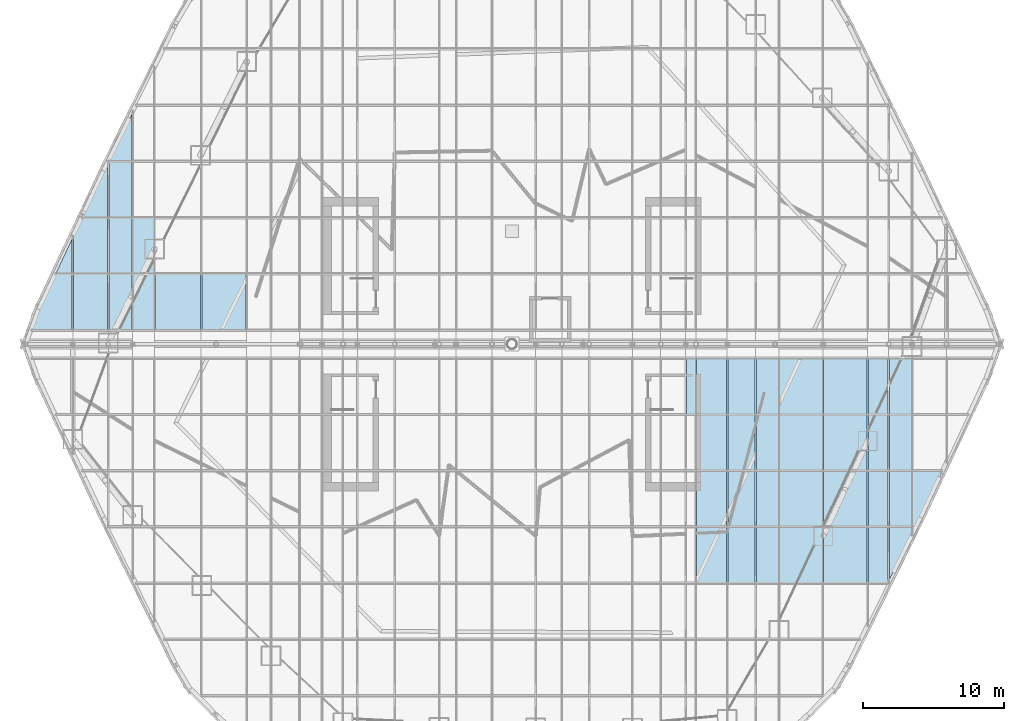
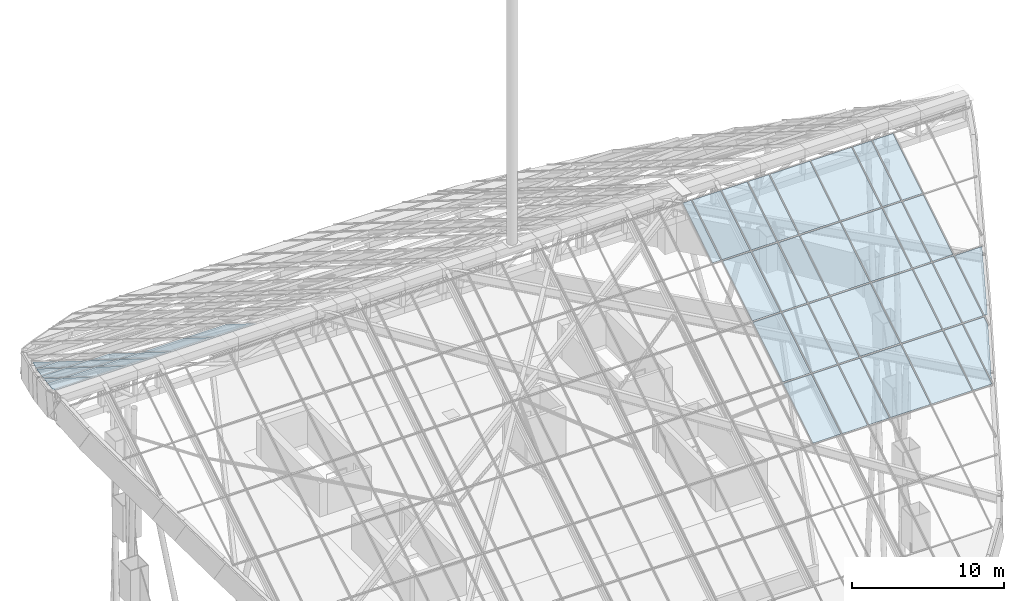
# One storey, part 30 of 38: 43 plates, 43 elements without a shape of their own.
"""IFC4 building model written with IfcOpenShell, lengths in metres."""

from ifc_helpers import new_model, si_unit, direction, frame, origin, place, context, subcontext, project, spatial, polyline, outline, extrude, material, layer, layer_set, type_object, element, aggregate, save


model = new_model("IFC4")

# Units and contexts
model_context = context("Model", 3, precision=1e-05, world=origin(), true_north=direction((0.0, 1.0)))
body_context = subcontext(model_context, "Body", "Model", "MODEL_VIEW")
ifc_project = project(units=[si_unit("LENGTHUNIT", "METRE"), si_unit("AREAUNIT", "SQUARE_METRE"), si_unit("VOLUMEUNIT", "CUBIC_METRE"), si_unit("PLANEANGLEUNIT", "RADIAN"), si_unit("MASSUNIT", "GRAM", prefix="KILO")], contexts=[model_context])

# Site, building, storey
site_placement = place(None, origin())
site = spatial("IfcSite", under=ifc_project, at=site_placement, CompositionType="ELEMENT")
building_placement = place(site_placement, origin())
building = spatial("IfcBuilding", under=site, at=building_placement, Name="Dongbaek Canopy Tower", CompositionType="ELEMENT")
storey_placement = place(building_placement, frame((0.0, 0.0, 375.800048828125)))
storey = spatial("IfcBuildingStorey", under=building, at=storey_placement, Name="Roof", CompositionType="ELEMENT", Elevation=375.800048828125)

# Curtain wall, plate
ifc_material_1 = material(Name="Aluminium 6063-T6 pale anodised", Category="aluminium")
ifc_layer_1 = layer(ifc_material_1, 0.199951171875)
ifc_layer_set_1 = layer_set([ifc_layer_1], Name="CW-6 canopy glazing curtain wall")
curtain_wall_type = type_object("IfcCurtainWallType", Name="CW-6 canopy glazing curtain wall", PredefinedType="NOTDEFINED", material=ifc_layer_set_1)
curtain_wall_1_placement = place(storey_placement, origin())
curtain_wall_1 = element("IfcCurtainWall", 1, at=curtain_wall_1_placement, inside=storey, type_object=curtain_wall_type, Name="CW-6 canopy glazing north 1.1", PredefinedType="NOTDEFINED")
ifc_material_2 = material(Name="Clear laminated glass", Category="glass")
ifc_layer_2 = layer(ifc_material_2, 0.0400390625)
ifc_layer_set_2 = layer_set([ifc_layer_2], Name="CW-6 glazed panel 40")
plate_type = type_object("IfcPlateType", Name="CW-6 glazed panel 40", PredefinedType="CURTAIN_PANEL", material=ifc_layer_set_2)
plate_1_placement = place(storey_placement, frame((-31.172119140625, 1.04296875, 18.095458984375), z_axis=(2.9550135e-05, 0.529899096889, 0.848060697263), x_axis=(-0.999999999563, 1.565859e-05, 2.5060308e-05)))
plate_1 = element("IfcPlate", 2, at=plate_1_placement, type_object=plate_type, Name="CW-6 panel N1.1", PredefinedType="CURTAIN_PANEL", context=body_context, shape_type="SweptSolid", body=[
    extrude(outline(polyline([(0.0, 0.0), (2.87426757687008, 0.0), (2.415771486469234, -1.5127484623807252), (1.1904296855099072, -4.598931257850206), (-1.4703448441021104e-09, -4.598931257850206), (0.0, 0.0)])), origin(), (0.0, 0.0, -1.0), 0.0400390625),
])
aggregate(curtain_wall_1, [plate_1])

curtain_wall_2_placement = place(storey_placement, origin())
curtain_wall_2 = element("IfcCurtainWall", 3, at=curtain_wall_2_placement, inside=storey, type_object=curtain_wall_type, Name="CW-6 canopy glazing north 1.2", PredefinedType="NOTDEFINED")
plate_2_placement = place(storey_placement, frame((-31.172119140625, 5.029296875, 15.6044921875), z_axis=(0.0, 0.529877740036, 0.848074041941), x_axis=(-1.0, 0.0, 0.0)))
plate_2 = element("IfcPlate", 4, at=plate_2_placement, type_object=plate_type, Name="CW-6 panel N1.2", PredefinedType="CURTAIN_PANEL", context=body_context, shape_type="SweptSolid", body=[
    extrude(outline(polyline([(0.0, 0.0), (1.150146484375, 0.0), (0.0, -2.8971895477152723), (0.0, 0.0)])), origin(), (0.0, 0.0, -1.0), 0.0400390625),
])
aggregate(curtain_wall_2, [plate_2])

curtain_wall_3_placement = place(storey_placement, origin())
curtain_wall_3 = element("IfcCurtainWall", 5, at=curtain_wall_3_placement, inside=storey, type_object=curtain_wall_type, Name="CW-6 canopy glazing north 2.1", PredefinedType="NOTDEFINED")
plate_3_placement = place(storey_placement, frame((-28.659912109375, 1.04296875, 18.095458984375), z_axis=(0.0, 0.52990827259, 0.848054964398), x_axis=(-1.0, 0.0, 0.0)))
plate_3 = element("IfcPlate", 6, at=plate_3_placement, type_object=plate_type, Name="CW-6 panel N2.1", PredefinedType="CURTAIN_PANEL", context=body_context, shape_type="SweptSolid", body=[
    extrude(outline(polyline([(0.0, 0.0), (2.426025390625, 0.0), (2.426025390625, -4.59893125811938), (0.0, -4.59893125811938), (0.0, 0.0)])), origin(), (0.0, 0.0, -1.0), 0.0400390625),
])
aggregate(curtain_wall_3, [plate_3])

curtain_wall_4_placement = place(storey_placement, origin())
curtain_wall_4 = element("IfcCurtainWall", 7, at=curtain_wall_4_placement, inside=storey, type_object=curtain_wall_type, Name="CW-6 canopy glazing north 2.2", PredefinedType="NOTDEFINED")
plate_4_placement = place(storey_placement, frame((-28.659912109375, 5.029296875, 15.6044921875), z_axis=(1.7409958e-05, 0.529906379633, 0.848056147033), x_axis=(-0.999999999848, 9.225648e-06, 1.4764622e-05)))
plate_4 = element("IfcPlate", 8, at=plate_4_placement, type_object=plate_type, Name="CW-6 panel N2.2", PredefinedType="CURTAIN_PANEL", context=body_context, shape_type="SweptSolid", body=[
    extrude(outline(polyline([(0.0, 0.0), (2.426025390257328, 0.0), (2.4260253915493055, -3.1136920414565337), (1.836425780792972, -4.598931258107925), (-1.787115585792404e-10, -4.598931258107925), (0.0, 0.0)])), origin(), (0.0, 0.0, -1.0), 0.0400390625),
])
aggregate(curtain_wall_4, [plate_4])

curtain_wall_5_placement = place(storey_placement, origin())
curtain_wall_5 = element("IfcCurtainWall", 9, at=curtain_wall_5_placement, inside=storey, type_object=curtain_wall_type, Name="CW-6 canopy glazing north 2.3", PredefinedType="NOTDEFINED")
plate_5_placement = place(storey_placement, frame((-28.996337890625, 12.132080078125, 11.166259765625), z_axis=(2.2228116e-05, 0.529913067992, 0.848051967675), x_axis=(0.384920872047, 0.782704671294, -0.489090298204)))
plate_5 = element("IfcPlate", 10, at=plate_5_placement, type_object=plate_type, Name="CW-6 panel N2.3", PredefinedType="CURTAIN_PANEL", context=body_context, shape_type="SweptSolid", body=[
    extrude(outline(polyline([(0.0, 0.0), (0.8740128327152078, 0.0), (-3.262465864460624, -1.7251397324797837), (-3.9538386319532024, -0.06739069968586259), (-3.62121665790433, -0.06172364421153187), (0.0, 0.0)])), origin(), (0.0, 0.0, -1.0), 0.0400390625),
])
aggregate(curtain_wall_5, [plate_5])

curtain_wall_6_placement = place(storey_placement, origin())
curtain_wall_6 = element("IfcCurtainWall", 11, at=curtain_wall_6_placement, inside=storey, type_object=curtain_wall_type, Name="CW-6 canopy glazing north 3.1", PredefinedType="NOTDEFINED")
plate_6_placement = place(storey_placement, frame((-26.931884765625, 1.04296875, 18.095458984375), z_axis=(0.0, 0.52990827259, 0.848054964398), x_axis=(-1.0, 0.0, 0.0)))
plate_6 = element("IfcPlate", 12, at=plate_6_placement, type_object=plate_type, Name="CW-6 panel N3.1", PredefinedType="CURTAIN_PANEL", context=body_context, shape_type="SweptSolid", body=[
    extrude(outline(polyline([(0.0, 0.0), (1.64208984375, 0.0), (1.64208984375, -4.59893125811938), (0.0, -4.59893125811938), (0.0, 0.0)])), origin(), (0.0, 0.0, -1.0), 0.0400390625),
])
aggregate(curtain_wall_6, [plate_6])

curtain_wall_7_placement = place(storey_placement, origin())
curtain_wall_7 = element("IfcCurtainWall", 13, at=curtain_wall_7_placement, inside=storey, type_object=curtain_wall_type, Name="CW-6 canopy glazing north 3.2", PredefinedType="NOTDEFINED")
plate_7_placement = place(storey_placement, frame((-26.931884765625, 5.029296875, 15.6044921875), z_axis=(0.0, 0.52990827259, 0.848054964398), x_axis=(-1.0, 0.0, 0.0)))
plate_7 = element("IfcPlate", 14, at=plate_7_placement, type_object=plate_type, Name="CW-6 panel N3.2", PredefinedType="CURTAIN_PANEL", context=body_context, shape_type="SweptSolid", body=[
    extrude(outline(polyline([(0.0, 0.0), (1.64208984375, 0.0), (1.64208984375, -4.59893125811938), (0.0, -4.59893125811938), (0.0, 0.0)])), origin(), (0.0, 0.0, -1.0), 0.0400390625),
])
aggregate(curtain_wall_7, [plate_7])

curtain_wall_8_placement = place(storey_placement, origin())
curtain_wall_8 = element("IfcCurtainWall", 15, at=curtain_wall_8_placement, inside=storey, type_object=curtain_wall_type, Name="CW-6 canopy glazing north 3.3", PredefinedType="NOTDEFINED")
plate_8_placement = place(storey_placement, frame((-26.931884765625, 9.015380859375, 13.11376953125), z_axis=(0.0, 0.529946450558, 0.848031107649), x_axis=(-1.0, 0.0, 0.0)))
plate_8 = element("IfcPlate", 16, at=plate_8_placement, type_object=plate_type, Name="CW-6 panel N3.3", PredefinedType="CURTAIN_PANEL", context=body_context, shape_type="SweptSolid", body=[
    extrude(outline(polyline([(0.0, 0.0), (1.64208984375, 0.0), (1.64208984375, -4.599060634916705), (0.0, -4.599060634916705), (0.0, 0.0)])), origin(), (0.0, 0.0, -1.0), 0.0400390625),
])
aggregate(curtain_wall_8, [plate_8])

curtain_wall_9_placement = place(storey_placement, origin())
curtain_wall_9 = element("IfcCurtainWall", 17, at=curtain_wall_9_placement, inside=storey, type_object=curtain_wall_type, Name="CW-6 canopy glazing north 3.4", PredefinedType="NOTDEFINED")
plate_9_placement = place(storey_placement, frame((-28.56884765625, 13.001708984375, 10.622802734375), z_axis=(0.0, 0.529931816238, 0.848040252664), x_axis=(0.385064065033, 0.782647737251, -0.489068691696)))
plate_9 = element("IfcPlate", 18, at=plate_9_placement, type_object=plate_type, Name="CW-6 panel N3.4", PredefinedType="CURTAIN_PANEL", context=body_context, shape_type="SweptSolid", body=[
    extrude(outline(polyline([(0.0, 0.0), (4.251144262152485, 1.6653345369377348e-16), (0.6303355849717903, -1.510736428236781), (0.0, 0.0)])), origin(), (0.0, 0.0, -1.0), 0.0400390625),
])
aggregate(curtain_wall_9, [plate_9])

curtain_wall_10_placement = place(storey_placement, origin())
curtain_wall_10 = element("IfcCurtainWall", 19, at=curtain_wall_10_placement, inside=storey, type_object=curtain_wall_type, Name="CW-6 canopy glazing north 4.1", PredefinedType="NOTDEFINED")
plate_10_placement = place(storey_placement, frame((-25.389892578125, 1.04296875, 18.095458984375), z_axis=(0.0, 0.52990827259, 0.848054964398), x_axis=(-1.0, 0.0, 0.0)))
plate_10 = element("IfcPlate", 20, at=plate_10_placement, type_object=plate_type, Name="CW-6 panel N4.1", PredefinedType="CURTAIN_PANEL", context=body_context, shape_type="SweptSolid", body=[
    extrude(outline(polyline([(0.0, 0.0), (1.4560546875, 0.0), (1.4560546875, -4.59893125811938), (0.0, -4.59893125811938), (0.0, 0.0)])), origin(), (0.0, 0.0, -1.0), 0.0400390625),
])
aggregate(curtain_wall_10, [plate_10])

curtain_wall_11_placement = place(storey_placement, origin())
curtain_wall_11 = element("IfcCurtainWall", 21, at=curtain_wall_11_placement, inside=storey, type_object=curtain_wall_type, Name="CW-6 canopy glazing north 4.2", PredefinedType="NOTDEFINED")
plate_11_placement = place(storey_placement, frame((-25.389892578125, 5.029296875, 15.6044921875), z_axis=(0.0, 0.52990827259, 0.848054964398), x_axis=(-1.0, 0.0, 0.0)))
plate_11 = element("IfcPlate", 22, at=plate_11_placement, type_object=plate_type, Name="CW-6 panel N4.2", PredefinedType="CURTAIN_PANEL", context=body_context, shape_type="SweptSolid", body=[
    extrude(outline(polyline([(0.0, 0.0), (1.4560546875, 0.0), (1.4560546875, -4.59893125811938), (0.0, -4.59893125811938), (0.0, 0.0)])), origin(), (0.0, 0.0, -1.0), 0.0400390625),
])
aggregate(curtain_wall_11, [plate_11])

curtain_wall_12_placement = place(storey_placement, origin())
curtain_wall_12 = element("IfcCurtainWall", 23, at=curtain_wall_12_placement, inside=storey, type_object=curtain_wall_type, Name="CW-6 canopy glazing north 5.1", PredefinedType="NOTDEFINED")
plate_12_placement = place(storey_placement, frame((-22.073974609375, 1.04296875, 18.095458984375), z_axis=(0.0, 0.52990827259, 0.848054964398), x_axis=(-1.0, 0.0, 0.0)))
plate_12 = element("IfcPlate", 24, at=plate_12_placement, type_object=plate_type, Name="CW-6 panel N5.1", PredefinedType="CURTAIN_PANEL", context=body_context, shape_type="SweptSolid", body=[
    extrude(outline(polyline([(0.0, 0.0), (3.22998046875, 0.0), (3.22998046875, -4.59893125811938), (0.0, -4.59893125811938), (0.0, 0.0)])), origin(), (0.0, 0.0, -1.0), 0.0400390625),
])
aggregate(curtain_wall_12, [plate_12])

curtain_wall_13_placement = place(storey_placement, origin())
curtain_wall_13 = element("IfcCurtainWall", 25, at=curtain_wall_13_placement, inside=storey, type_object=curtain_wall_type, Name="CW-6 canopy glazing north 6.1", PredefinedType="NOTDEFINED")
plate_13_placement = place(storey_placement, frame((-18.84912109375, 1.04296875, 18.095458984375), z_axis=(0.0, 0.52990827259, 0.848054964398), x_axis=(-1.0, 0.0, 0.0)))
plate_13 = element("IfcPlate", 26, at=plate_13_placement, type_object=plate_type, Name="CW-6 panel N6.1", PredefinedType="CURTAIN_PANEL", context=body_context, shape_type="SweptSolid", body=[
    extrude(outline(polyline([(0.0, 0.0), (3.138916015625, 0.0), (3.138916015625, -4.59893125811938), (0.0, -4.59893125811938), (0.0, 0.0)])), origin(), (0.0, 0.0, -1.0), 0.0400390625),
])
aggregate(curtain_wall_13, [plate_13])

curtain_wall_14_placement = place(storey_placement, origin())
curtain_wall_14 = element("IfcCurtainWall", 27, at=curtain_wall_14_placement, inside=storey, type_object=curtain_wall_type, Name="CW-6 canopy glazing south 22.1", PredefinedType="NOTDEFINED")
plate_14_placement = place(storey_placement, frame((12.9921875, -4.943115234375, 15.658447265625), z_axis=(0.0, -0.52990827259, 0.848054964398), x_axis=(-1.0, 0.0, 0.0)))
plate_14 = element("IfcPlate", 28, at=plate_14_placement, type_object=plate_type, Name="CW-6 panel S22.1", PredefinedType="CURTAIN_PANEL", context=body_context, shape_type="SweptSolid", body=[
    extrude(outline(polyline([(0.0, 0.0), (0.63525390625, 0.0), (0.63525390625, -4.5989312581193795), (0.0, -4.5989312581193795), (0.0, 0.0)])), origin(), (0.0, 0.0, -1.0), 0.0400390625),
])
aggregate(curtain_wall_14, [plate_14])

curtain_wall_15_placement = place(storey_placement, origin())
curtain_wall_15 = element("IfcCurtainWall", 29, at=curtain_wall_15_placement, inside=storey, type_object=curtain_wall_type, Name="CW-6 canopy glazing south 23.1", PredefinedType="NOTDEFINED")
plate_15_placement = place(storey_placement, frame((15.208984375, -4.943115234375, 15.658447265625), z_axis=(0.0, -0.52990827259, 0.848054964398), x_axis=(-1.0, 0.0, 0.0)))
plate_15 = element("IfcPlate", 30, at=plate_15_placement, type_object=plate_type, Name="CW-6 panel S23.1", PredefinedType="CURTAIN_PANEL", context=body_context, shape_type="SweptSolid", body=[
    extrude(outline(polyline([(0.0, 0.0), (2.130615234375, 0.0), (2.130615234375, -4.59893125811938), (0.0, -4.59893125811938), (0.0, 0.0)])), origin(), (0.0, 0.0, -1.0), 0.0400390625),
])
aggregate(curtain_wall_15, [plate_15])

curtain_wall_16_placement = place(storey_placement, origin())
curtain_wall_16 = element("IfcCurtainWall", 31, at=curtain_wall_16_placement, inside=storey, type_object=curtain_wall_type, Name="CW-6 canopy glazing south 23.2", PredefinedType="NOTDEFINED")
plate_16_placement = place(storey_placement, frame((15.208984375, -8.929443359375, 13.16748046875), z_axis=(0.0, -0.52990827259, 0.848054964398), x_axis=(-1.0, 0.0, 0.0)))
plate_16 = element("IfcPlate", 32, at=plate_16_placement, type_object=plate_type, Name="CW-6 panel S23.2", PredefinedType="CURTAIN_PANEL", context=body_context, shape_type="SweptSolid", body=[
    extrude(outline(polyline([(0.0, 0.0), (2.130615234375, 0.0), (2.130615234375, -4.59893125811938), (0.0, -4.59893125811938), (0.0, 0.0)])), origin(), (0.0, 0.0, -1.0), 0.0400390625),
])
aggregate(curtain_wall_16, [plate_16])

curtain_wall_17_placement = place(storey_placement, origin())
curtain_wall_17 = element("IfcCurtainWall", 33, at=curtain_wall_17_placement, inside=storey, type_object=curtain_wall_type, Name="CW-6 canopy glazing south 23.3", PredefinedType="NOTDEFINED")
plate_17_placement = place(storey_placement, frame((15.208984375, -12.91552734375, 10.676513671875), z_axis=(0.0, -0.529946450558, 0.848031107649), x_axis=(-1.0, 0.0, 0.0)))
plate_17 = element("IfcPlate", 34, at=plate_17_placement, type_object=plate_type, Name="CW-6 panel S23.3", PredefinedType="CURTAIN_PANEL", context=body_context, shape_type="SweptSolid", body=[
    extrude(outline(polyline([(0.0, 0.0), (2.130615234375, 0.0), (2.130615234375, -4.599060634916706), (0.0, -4.599060634916706), (0.0, 0.0)])), origin(), (0.0, 0.0, -1.0), 0.0400390625),
])
aggregate(curtain_wall_17, [plate_17])

curtain_wall_18_placement = place(storey_placement, origin())
curtain_wall_18 = element("IfcCurtainWall", 35, at=curtain_wall_18_placement, inside=storey, type_object=curtain_wall_type, Name="CW-6 canopy glazing south 23.4", PredefinedType="NOTDEFINED")
plate_18_placement = place(storey_placement, frame((15.208984375, -16.90185546875, 8.185791015625), z_axis=(0.0, -0.52990827259, 0.848054964398), x_axis=(-1.0, 0.0, 0.0)))
plate_18 = element("IfcPlate", 36, at=plate_18_placement, type_object=plate_type, Name="CW-6 panel S23.4", PredefinedType="CURTAIN_PANEL", context=body_context, shape_type="SweptSolid", body=[
    extrude(outline(polyline([(0.0, 0.0), (2.130615234375, 0.0), (2.130615234375, -4.59893125811938), (0.0, -4.59893125811938), (0.0, 0.0)])), origin(), (0.0, 0.0, -1.0), 0.0400390625),
])
aggregate(curtain_wall_18, [plate_18])

curtain_wall_19_placement = place(storey_placement, origin())
curtain_wall_19 = element("IfcCurtainWall", 37, at=curtain_wall_19_placement, inside=storey, type_object=curtain_wall_type, Name="CW-6 canopy glazing south 24.1", PredefinedType="NOTDEFINED")
plate_19_placement = place(storey_placement, frame((17.23291015625, -4.943115234375, 15.658447265625), z_axis=(0.0, -0.52990827259, 0.848054964398), x_axis=(-1.0, 0.0, 0.0)))
plate_19 = element("IfcPlate", 38, at=plate_19_placement, type_object=plate_type, Name="CW-6 panel S24.1", PredefinedType="CURTAIN_PANEL", context=body_context, shape_type="SweptSolid", body=[
    extrude(outline(polyline([(0.0, 0.0), (1.93798828125, 0.0), (1.93798828125, -4.59893125811938), (0.0, -4.59893125811938), (0.0, 0.0)])), origin(), (0.0, 0.0, -1.0), 0.0400390625),
])
aggregate(curtain_wall_19, [plate_19])

curtain_wall_20_placement = place(storey_placement, origin())
curtain_wall_20 = element("IfcCurtainWall", 39, at=curtain_wall_20_placement, inside=storey, type_object=curtain_wall_type, Name="CW-6 canopy glazing south 24.2", PredefinedType="NOTDEFINED")
plate_20_placement = place(storey_placement, frame((17.23291015625, -8.929443359375, 13.16748046875), z_axis=(0.0, -0.52990827259, 0.848054964398), x_axis=(-1.0, 0.0, 0.0)))
plate_20 = element("IfcPlate", 40, at=plate_20_placement, type_object=plate_type, Name="CW-6 panel S24.2", PredefinedType="CURTAIN_PANEL", context=body_context, shape_type="SweptSolid", body=[
    extrude(outline(polyline([(0.0, 0.0), (1.93798828125, 0.0), (1.93798828125, -4.59893125811938), (0.0, -4.59893125811938), (0.0, 0.0)])), origin(), (0.0, 0.0, -1.0), 0.0400390625),
])
aggregate(curtain_wall_20, [plate_20])

curtain_wall_21_placement = place(storey_placement, origin())
curtain_wall_21 = element("IfcCurtainWall", 41, at=curtain_wall_21_placement, inside=storey, type_object=curtain_wall_type, Name="CW-6 canopy glazing south 24.3", PredefinedType="NOTDEFINED")
plate_21_placement = place(storey_placement, frame((17.23291015625, -12.91552734375, 10.676513671875), z_axis=(0.0, -0.529946450558, 0.848031107649), x_axis=(-1.0, 0.0, 0.0)))
plate_21 = element("IfcPlate", 42, at=plate_21_placement, type_object=plate_type, Name="CW-6 panel S24.3", PredefinedType="CURTAIN_PANEL", context=body_context, shape_type="SweptSolid", body=[
    extrude(outline(polyline([(0.0, 0.0), (1.93798828125, 0.0), (1.93798828125, -4.599060634916705), (0.0, -4.599060634916705), (0.0, 0.0)])), origin(), (0.0, 0.0, -1.0), 0.0400390625),
])
aggregate(curtain_wall_21, [plate_21])

curtain_wall_22_placement = place(storey_placement, origin())
curtain_wall_22 = element("IfcCurtainWall", 43, at=curtain_wall_22_placement, inside=storey, type_object=curtain_wall_type, Name="CW-6 canopy glazing south 24.4", PredefinedType="NOTDEFINED")
plate_22_placement = place(storey_placement, frame((17.23291015625, -16.90185546875, 8.185791015625), z_axis=(0.0, -0.52990827259, 0.848054964398), x_axis=(-1.0, 0.0, 0.0)))
plate_22 = element("IfcPlate", 44, at=plate_22_placement, type_object=plate_type, Name="CW-6 panel S24.4", PredefinedType="CURTAIN_PANEL", context=body_context, shape_type="SweptSolid", body=[
    extrude(outline(polyline([(0.0, 0.0), (1.93798828125, 0.0), (1.93798828125, -4.59893125811938), (0.0, -4.59893125811938), (0.0, 0.0)])), origin(), (0.0, 0.0, -1.0), 0.0400390625),
])
aggregate(curtain_wall_22, [plate_22])

curtain_wall_23_placement = place(storey_placement, origin())
curtain_wall_23 = element("IfcCurtainWall", 45, at=curtain_wall_23_placement, inside=storey, type_object=curtain_wall_type, Name="CW-6 canopy glazing south 25.1", PredefinedType="NOTDEFINED")
plate_23_placement = place(storey_placement, frame((18.882080078125, -4.943115234375, 15.658447265625), z_axis=(0.0, -0.52990827259, 0.848054964398), x_axis=(-1.0, 0.0, 0.0)))
plate_23 = element("IfcPlate", 46, at=plate_23_placement, type_object=plate_type, Name="CW-6 panel S25.1", PredefinedType="CURTAIN_PANEL", context=body_context, shape_type="SweptSolid", body=[
    extrude(outline(polyline([(0.0, 0.0), (1.56298828125, 0.0), (1.56298828125, -4.59893125811938), (0.0, -4.59893125811938), (0.0, 0.0)])), origin(), (0.0, 0.0, -1.0), 0.0400390625),
])
aggregate(curtain_wall_23, [plate_23])

curtain_wall_24_placement = place(storey_placement, origin())
curtain_wall_24 = element("IfcCurtainWall", 47, at=curtain_wall_24_placement, inside=storey, type_object=curtain_wall_type, Name="CW-6 canopy glazing south 25.2", PredefinedType="NOTDEFINED")
plate_24_placement = place(storey_placement, frame((18.882080078125, -8.929443359375, 13.16748046875), z_axis=(0.0, -0.52990827259, 0.848054964398), x_axis=(-1.0, 0.0, 0.0)))
plate_24 = element("IfcPlate", 48, at=plate_24_placement, type_object=plate_type, Name="CW-6 panel S25.2", PredefinedType="CURTAIN_PANEL", context=body_context, shape_type="SweptSolid", body=[
    extrude(outline(polyline([(0.0, 0.0), (1.56298828125, 0.0), (1.56298828125, -4.59893125811938), (0.0, -4.59893125811938), (0.0, 0.0)])), origin(), (0.0, 0.0, -1.0), 0.0400390625),
])
aggregate(curtain_wall_24, [plate_24])

curtain_wall_25_placement = place(storey_placement, origin())
curtain_wall_25 = element("IfcCurtainWall", 49, at=curtain_wall_25_placement, inside=storey, type_object=curtain_wall_type, Name="CW-6 canopy glazing south 25.3", PredefinedType="NOTDEFINED")
plate_25_placement = place(storey_placement, frame((18.882080078125, -12.91552734375, 10.676513671875), z_axis=(0.0, -0.529946450558, 0.848031107649), x_axis=(-1.0, 0.0, 0.0)))
plate_25 = element("IfcPlate", 50, at=plate_25_placement, type_object=plate_type, Name="CW-6 panel S25.3", PredefinedType="CURTAIN_PANEL", context=body_context, shape_type="SweptSolid", body=[
    extrude(outline(polyline([(0.0, 0.0), (1.56298828125, 0.0), (1.56298828125, -4.599060634916705), (0.0, -4.599060634916705), (0.0, 0.0)])), origin(), (0.0, 0.0, -1.0), 0.0400390625),
])
aggregate(curtain_wall_25, [plate_25])

curtain_wall_26_placement = place(storey_placement, origin())
curtain_wall_26 = element("IfcCurtainWall", 51, at=curtain_wall_26_placement, inside=storey, type_object=curtain_wall_type, Name="CW-6 canopy glazing south 25.4", PredefinedType="NOTDEFINED")
plate_26_placement = place(storey_placement, frame((18.882080078125, -16.90185546875, 8.185791015625), z_axis=(0.0, -0.52990827259, 0.848054964398), x_axis=(-1.0, 0.0, 0.0)))
plate_26 = element("IfcPlate", 52, at=plate_26_placement, type_object=plate_type, Name="CW-6 panel S25.4", PredefinedType="CURTAIN_PANEL", context=body_context, shape_type="SweptSolid", body=[
    extrude(outline(polyline([(0.0, 0.0), (1.56298828125, 0.0), (1.56298828125, -4.59893125811938), (0.0, -4.59893125811938), (0.0, 0.0)])), origin(), (0.0, 0.0, -1.0), 0.0400390625),
])
aggregate(curtain_wall_26, [plate_26])

curtain_wall_27_placement = place(storey_placement, origin())
curtain_wall_27 = element("IfcCurtainWall", 53, at=curtain_wall_27_placement, inside=storey, type_object=curtain_wall_type, Name="CW-6 canopy glazing south 26.1", PredefinedType="NOTDEFINED")
plate_27_placement = place(storey_placement, frame((21.9921875, -4.943115234375, 15.658447265625), z_axis=(0.0, -0.52990827259, 0.848054964398), x_axis=(-1.0, 0.0, 0.0)))
plate_27 = element("IfcPlate", 54, at=plate_27_placement, type_object=plate_type, Name="CW-6 panel S26.1", PredefinedType="CURTAIN_PANEL", context=body_context, shape_type="SweptSolid", body=[
    extrude(outline(polyline([(0.0, 0.0), (3.024169921875, 0.0), (3.024169921875, -4.59893125811938), (0.0, -4.59893125811938), (0.0, 0.0)])), origin(), (0.0, 0.0, -1.0), 0.0400390625),
])
aggregate(curtain_wall_27, [plate_27])

curtain_wall_28_placement = place(storey_placement, origin())
curtain_wall_28 = element("IfcCurtainWall", 55, at=curtain_wall_28_placement, inside=storey, type_object=curtain_wall_type, Name="CW-6 canopy glazing south 26.2", PredefinedType="NOTDEFINED")
plate_28_placement = place(storey_placement, frame((21.9921875, -8.929443359375, 13.16748046875), z_axis=(0.0, -0.52990827259, 0.848054964398), x_axis=(-1.0, 0.0, 0.0)))
plate_28 = element("IfcPlate", 56, at=plate_28_placement, type_object=plate_type, Name="CW-6 panel S26.2", PredefinedType="CURTAIN_PANEL", context=body_context, shape_type="SweptSolid", body=[
    extrude(outline(polyline([(0.0, 0.0), (3.024169921875, 0.0), (3.024169921875, -4.59893125811938), (0.0, -4.59893125811938), (0.0, 0.0)])), origin(), (0.0, 0.0, -1.0), 0.0400390625),
])
aggregate(curtain_wall_28, [plate_28])

curtain_wall_29_placement = place(storey_placement, origin())
curtain_wall_29 = element("IfcCurtainWall", 57, at=curtain_wall_29_placement, inside=storey, type_object=curtain_wall_type, Name="CW-6 canopy glazing south 26.3", PredefinedType="NOTDEFINED")
plate_29_placement = place(storey_placement, frame((21.9921875, -12.91552734375, 10.676513671875), z_axis=(0.0, -0.529946450558, 0.848031107649), x_axis=(-1.0, 0.0, 0.0)))
plate_29 = element("IfcPlate", 58, at=plate_29_placement, type_object=plate_type, Name="CW-6 panel S26.3", PredefinedType="CURTAIN_PANEL", context=body_context, shape_type="SweptSolid", body=[
    extrude(outline(polyline([(0.0, 0.0), (3.024169921875, 0.0), (3.024169921875, -4.599060634916705), (0.0, -4.599060634916705), (0.0, 0.0)])), origin(), (0.0, 0.0, -1.0), 0.0400390625),
])
aggregate(curtain_wall_29, [plate_29])

curtain_wall_30_placement = place(storey_placement, origin())
curtain_wall_30 = element("IfcCurtainWall", 59, at=curtain_wall_30_placement, inside=storey, type_object=curtain_wall_type, Name="CW-6 canopy glazing south 26.4", PredefinedType="NOTDEFINED")
plate_30_placement = place(storey_placement, frame((21.9921875, -16.90185546875, 8.185791015625), z_axis=(0.0, -0.52990827259, 0.848054964398), x_axis=(-1.0, 0.0, 0.0)))
plate_30 = element("IfcPlate", 60, at=plate_30_placement, type_object=plate_type, Name="CW-6 panel S26.4", PredefinedType="CURTAIN_PANEL", context=body_context, shape_type="SweptSolid", body=[
    extrude(outline(polyline([(0.0, 0.0), (3.024169921875, 0.0), (3.024169921875, -4.59893125811938), (0.0, -4.59893125811938), (0.0, 0.0)])), origin(), (0.0, 0.0, -1.0), 0.0400390625),
])
aggregate(curtain_wall_30, [plate_30])

curtain_wall_31_placement = place(storey_placement, origin())
curtain_wall_31 = element("IfcCurtainWall", 61, at=curtain_wall_31_placement, inside=storey, type_object=curtain_wall_type, Name="CW-6 canopy glazing south 27.1", PredefinedType="NOTDEFINED")
plate_31_placement = place(storey_placement, frame((25.1669921875, -4.943115234375, 15.658447265625), z_axis=(0.0, -0.52990827259, 0.848054964398), x_axis=(-1.0, 0.0, 0.0)))
plate_31 = element("IfcPlate", 62, at=plate_31_placement, type_object=plate_type, Name="CW-6 panel S27.1", PredefinedType="CURTAIN_PANEL", context=body_context, shape_type="SweptSolid", body=[
    extrude(outline(polyline([(0.0, 0.0), (3.088623046875, 0.0), (3.088623046875, -4.59893125811938), (0.0, -4.59893125811938), (0.0, 0.0)])), origin(), (0.0, 0.0, -1.0), 0.0400390625),
])
aggregate(curtain_wall_31, [plate_31])

curtain_wall_32_placement = place(storey_placement, origin())
curtain_wall_32 = element("IfcCurtainWall", 63, at=curtain_wall_32_placement, inside=storey, type_object=curtain_wall_type, Name="CW-6 canopy glazing south 27.2", PredefinedType="NOTDEFINED")
plate_32_placement = place(storey_placement, frame((25.1669921875, -8.929443359375, 13.16748046875), z_axis=(0.0, -0.52990827259, 0.848054964398), x_axis=(-1.0, 0.0, 0.0)))
plate_32 = element("IfcPlate", 64, at=plate_32_placement, type_object=plate_type, Name="CW-6 panel S27.2", PredefinedType="CURTAIN_PANEL", context=body_context, shape_type="SweptSolid", body=[
    extrude(outline(polyline([(0.0, 0.0), (3.088623046875, 0.0), (3.088623046875, -4.59893125811938), (0.0, -4.59893125811938), (0.0, 0.0)])), origin(), (0.0, 0.0, -1.0), 0.0400390625),
])
aggregate(curtain_wall_32, [plate_32])

curtain_wall_33_placement = place(storey_placement, origin())
curtain_wall_33 = element("IfcCurtainWall", 65, at=curtain_wall_33_placement, inside=storey, type_object=curtain_wall_type, Name="CW-6 canopy glazing south 27.3", PredefinedType="NOTDEFINED")
plate_33_placement = place(storey_placement, frame((25.1669921875, -12.91552734375, 10.676513671875), z_axis=(0.0, -0.529946450558, 0.848031107649), x_axis=(-1.0, 0.0, 0.0)))
plate_33 = element("IfcPlate", 66, at=plate_33_placement, type_object=plate_type, Name="CW-6 panel S27.3", PredefinedType="CURTAIN_PANEL", context=body_context, shape_type="SweptSolid", body=[
    extrude(outline(polyline([(0.0, 0.0), (3.088623046875, 0.0), (3.088623046875, -4.599060634916705), (0.0, -4.599060634916705), (0.0, 0.0)])), origin(), (0.0, 0.0, -1.0), 0.0400390625),
])
aggregate(curtain_wall_33, [plate_33])

curtain_wall_34_placement = place(storey_placement, origin())
curtain_wall_34 = element("IfcCurtainWall", 67, at=curtain_wall_34_placement, inside=storey, type_object=curtain_wall_type, Name="CW-6 canopy glazing south 27.4", PredefinedType="NOTDEFINED")
plate_34_placement = place(storey_placement, frame((25.1669921875, -16.90185546875, 8.185791015625), z_axis=(0.0, -0.52990827259, 0.848054964398), x_axis=(-1.0, 0.0, 0.0)))
plate_34 = element("IfcPlate", 68, at=plate_34_placement, type_object=plate_type, Name="CW-6 panel S27.4", PredefinedType="CURTAIN_PANEL", context=body_context, shape_type="SweptSolid", body=[
    extrude(outline(polyline([(0.0, 0.0), (3.088623046875, 0.0), (3.088623046875, -4.59893125811938), (0.0, -4.59893125811938), (0.0, 0.0)])), origin(), (0.0, 0.0, -1.0), 0.0400390625),
])
aggregate(curtain_wall_34, [plate_34])

curtain_wall_35_placement = place(storey_placement, origin())
curtain_wall_35 = element("IfcCurtainWall", 69, at=curtain_wall_35_placement, inside=storey, type_object=curtain_wall_type, Name="CW-6 canopy glazing south 28.1", PredefinedType="NOTDEFINED")
plate_35_placement = place(storey_placement, frame((26.659912109375, -4.943115234375, 15.658447265625), z_axis=(0.0, -0.52990827259, 0.848054964398), x_axis=(-1.0, 0.0, 0.0)))
plate_35 = element("IfcPlate", 70, at=plate_35_placement, type_object=plate_type, Name="CW-6 panel S28.1", PredefinedType="CURTAIN_PANEL", context=body_context, shape_type="SweptSolid", body=[
    extrude(outline(polyline([(0.0, 0.0), (1.406982421875, 0.0), (1.406982421875, -4.59893125811938), (0.0, -4.59893125811938), (0.0, 0.0)])), origin(), (0.0, 0.0, -1.0), 0.0400390625),
])
aggregate(curtain_wall_35, [plate_35])

curtain_wall_36_placement = place(storey_placement, origin())
curtain_wall_36 = element("IfcCurtainWall", 71, at=curtain_wall_36_placement, inside=storey, type_object=curtain_wall_type, Name="CW-6 canopy glazing south 28.2", PredefinedType="NOTDEFINED")
plate_36_placement = place(storey_placement, frame((26.659912109375, -8.929443359375, 13.16748046875), z_axis=(0.0, -0.52990827259, 0.848054964398), x_axis=(-1.0, 0.0, 0.0)))
plate_36 = element("IfcPlate", 72, at=plate_36_placement, type_object=plate_type, Name="CW-6 panel S28.2", PredefinedType="CURTAIN_PANEL", context=body_context, shape_type="SweptSolid", body=[
    extrude(outline(polyline([(0.0, 0.0), (1.406982421875, 0.0), (1.406982421875, -4.59893125811938), (0.0, -4.59893125811938), (0.0, 0.0)])), origin(), (0.0, 0.0, -1.0), 0.0400390625),
])
aggregate(curtain_wall_36, [plate_36])

curtain_wall_37_placement = place(storey_placement, origin())
curtain_wall_37 = element("IfcCurtainWall", 73, at=curtain_wall_37_placement, inside=storey, type_object=curtain_wall_type, Name="CW-6 canopy glazing south 28.3", PredefinedType="NOTDEFINED")
plate_37_placement = place(storey_placement, frame((26.659912109375, -12.91552734375, 10.676513671875), z_axis=(0.0, -0.529946450558, 0.848031107649), x_axis=(-1.0, 0.0, 0.0)))
plate_37 = element("IfcPlate", 74, at=plate_37_placement, type_object=plate_type, Name="CW-6 panel S28.3", PredefinedType="CURTAIN_PANEL", context=body_context, shape_type="SweptSolid", body=[
    extrude(outline(polyline([(0.0, 0.0), (1.406982421875, 0.0), (1.406982421875, -4.599060634916705), (0.0, -4.599060634916705), (0.0, 0.0)])), origin(), (0.0, 0.0, -1.0), 0.0400390625),
])
aggregate(curtain_wall_37, [plate_37])

curtain_wall_38_placement = place(storey_placement, origin())
curtain_wall_38 = element("IfcCurtainWall", 75, at=curtain_wall_38_placement, inside=storey, type_object=curtain_wall_type, Name="CW-6 canopy glazing south 28.4", PredefinedType="NOTDEFINED")
plate_38_placement = place(storey_placement, frame((26.659912109375, -16.8818359375, 8.1982421875), z_axis=(1.7497723e-05, -0.529908304019, 0.848054944579), x_axis=(-0.38269263969, -0.783500919883, -0.489563736473)))
plate_38 = element("IfcPlate", 76, at=plate_38_placement, type_object=plate_type, Name="CW-6 panel S28.4", PredefinedType="CURTAIN_PANEL", context=body_context, shape_type="SweptSolid", body=[
    extrude(outline(polyline([(0.0, 0.0), (0.025518196186069052, -1.3010426069826053e-18), (0.5602227804007395, -1.2908546721036191), (-3.688618140646585, -3.050831815290767), (-4.227059957670724, -1.7509549193737377), (0.0, 0.0)])), origin(), (0.0, 0.0, -1.0), 0.0400390625),
])
aggregate(curtain_wall_38, [plate_38])

curtain_wall_39_placement = place(storey_placement, origin())
curtain_wall_39 = element("IfcCurtainWall", 77, at=curtain_wall_39_placement, inside=storey, type_object=curtain_wall_type, Name="CW-6 canopy glazing south 29.1", PredefinedType="NOTDEFINED")
plate_39_placement = place(storey_placement, frame((28.30810546875, -4.943115234375, 15.658447265625), z_axis=(0.0, -0.52990827259, 0.848054964398), x_axis=(-1.0, 0.0, 0.0)))
plate_39 = element("IfcPlate", 78, at=plate_39_placement, type_object=plate_type, Name="CW-6 panel S29.1", PredefinedType="CURTAIN_PANEL", context=body_context, shape_type="SweptSolid", body=[
    extrude(outline(polyline([(0.0, 0.0), (1.56201171875, 0.0), (1.56201171875, -4.5989312581193795), (0.0, -4.5989312581193795), (0.0, 0.0)])), origin(), (0.0, 0.0, -1.0), 0.0400390625),
])
aggregate(curtain_wall_39, [plate_39])

curtain_wall_40_placement = place(storey_placement, origin())
curtain_wall_40 = element("IfcCurtainWall", 79, at=curtain_wall_40_placement, inside=storey, type_object=curtain_wall_type, Name="CW-6 canopy glazing south 29.2", PredefinedType="NOTDEFINED")
plate_40_placement = place(storey_placement, frame((28.30810546875, -8.929443359375, 13.16748046875), z_axis=(0.0, -0.52990827259, 0.848054964398), x_axis=(-1.0, 0.0, 0.0)))
plate_40 = element("IfcPlate", 80, at=plate_40_placement, type_object=plate_type, Name="CW-6 panel S29.2", PredefinedType="CURTAIN_PANEL", context=body_context, shape_type="SweptSolid", body=[
    extrude(outline(polyline([(0.0, 0.0), (1.56201171875, 0.0), (1.56201171875, -4.5989312581193795), (0.0, -4.5989312581193795), (0.0, 0.0)])), origin(), (0.0, 0.0, -1.0), 0.0400390625),
])
aggregate(curtain_wall_40, [plate_40])

curtain_wall_41_placement = place(storey_placement, origin())
curtain_wall_41 = element("IfcCurtainWall", 81, at=curtain_wall_41_placement, inside=storey, type_object=curtain_wall_type, Name="CW-6 canopy glazing south 29.3", PredefinedType="NOTDEFINED")
plate_41_placement = place(storey_placement, frame((28.30810546875, -12.91552734375, 10.676513671875), z_axis=(0.0, -0.529946450558, 0.848031107649), x_axis=(-1.0, 0.0, 0.0)))
plate_41 = element("IfcPlate", 82, at=plate_41_placement, type_object=plate_type, Name="CW-6 panel S29.3", PredefinedType="CURTAIN_PANEL", context=body_context, shape_type="SweptSolid", body=[
    extrude(outline(polyline([(0.0, 0.0), (1.56201171875, 0.0), (1.56201171875, -4.599060634916705), (0.0, -4.599060634916705), (0.0, 0.0)])), origin(), (0.0, 0.0, -1.0), 0.0400390625),
])
aggregate(curtain_wall_41, [plate_41])

curtain_wall_42_placement = place(storey_placement, origin())
curtain_wall_42 = element("IfcCurtainWall", 83, at=curtain_wall_42_placement, inside=storey, type_object=curtain_wall_type, Name="CW-6 canopy glazing south 29.4", PredefinedType="NOTDEFINED")
plate_42_placement = place(storey_placement, frame((28.30810546875, -13.53173828125, 10.291748046875), z_axis=(-7.4511474e-05, -0.529911052929, 0.84805322382), x_axis=(-0.385006375539, -0.78266491925, -0.489086612953)))
plate_42 = element("IfcPlate", 84, at=plate_42_placement, type_object=plate_type, Name="CW-6 panel S29.4", PredefinedType="CURTAIN_PANEL", context=body_context, shape_type="SweptSolid", body=[
    extrude(outline(polyline([(0.0, 0.0), (4.057106132945551, 0.0), (0.02463471773494369, -1.682201534256814), (-0.5767497526503651, -0.24059919146404768), (0.0, 0.0)])), origin(), (0.0, 0.0, -1.0), 0.0400390625),
])
aggregate(curtain_wall_42, [plate_42])

curtain_wall_43_placement = place(storey_placement, origin())
curtain_wall_43 = element("IfcCurtainWall", 85, at=curtain_wall_43_placement, inside=storey, type_object=curtain_wall_type, Name="CW-6 canopy glazing south 30.3", PredefinedType="NOTDEFINED")
plate_43_placement = place(storey_placement, frame((30.333251953125, -9.277587890625, 12.949951171875), z_axis=(-6.6194856e-05, -0.529923954851, 0.848045162532), x_axis=(-0.369135574224, -0.788139498981, -0.492519094035)))
plate_43 = element("IfcPlate", 86, at=plate_43_placement, type_object=plate_type, Name="CW-6 panel S30.3", PredefinedType="CURTAIN_PANEL", context=body_context, shape_type="SweptSolid", body=[
    extrude(outline(polyline([(0.0, 0.0), (3.621742658093394, -1.1102230246251565e-16), (4.622628617807299, -0.016991302967901523), (4.702746177740184, -0.21870391746566054), (0.42849163380328886, -1.9163808014436532), (-0.33267024605401185, 2.485449567005138e-06), (0.0, 0.0)])), origin(), (0.0, 0.0, -1.0), 0.0400390625),
])
aggregate(curtain_wall_43, [plate_43])

save(model, "model.ifc")
